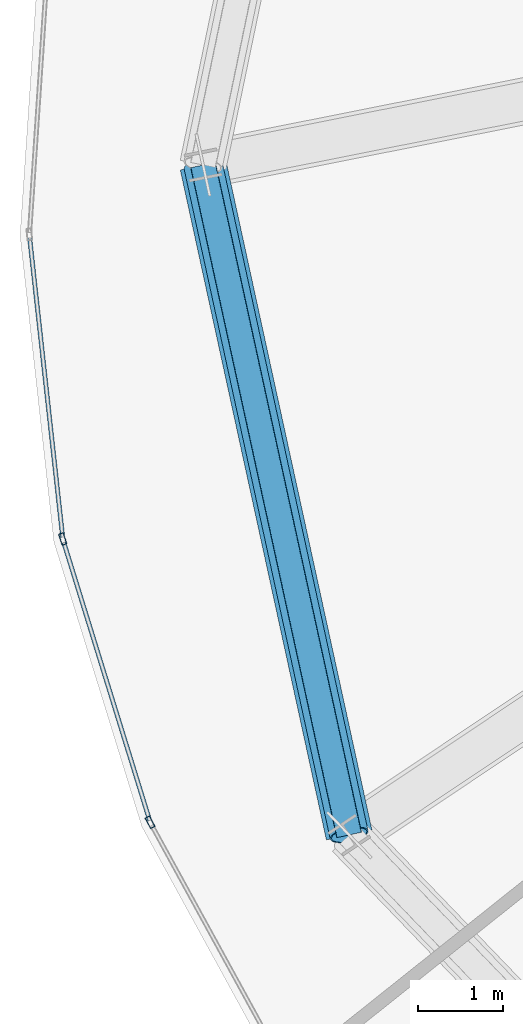
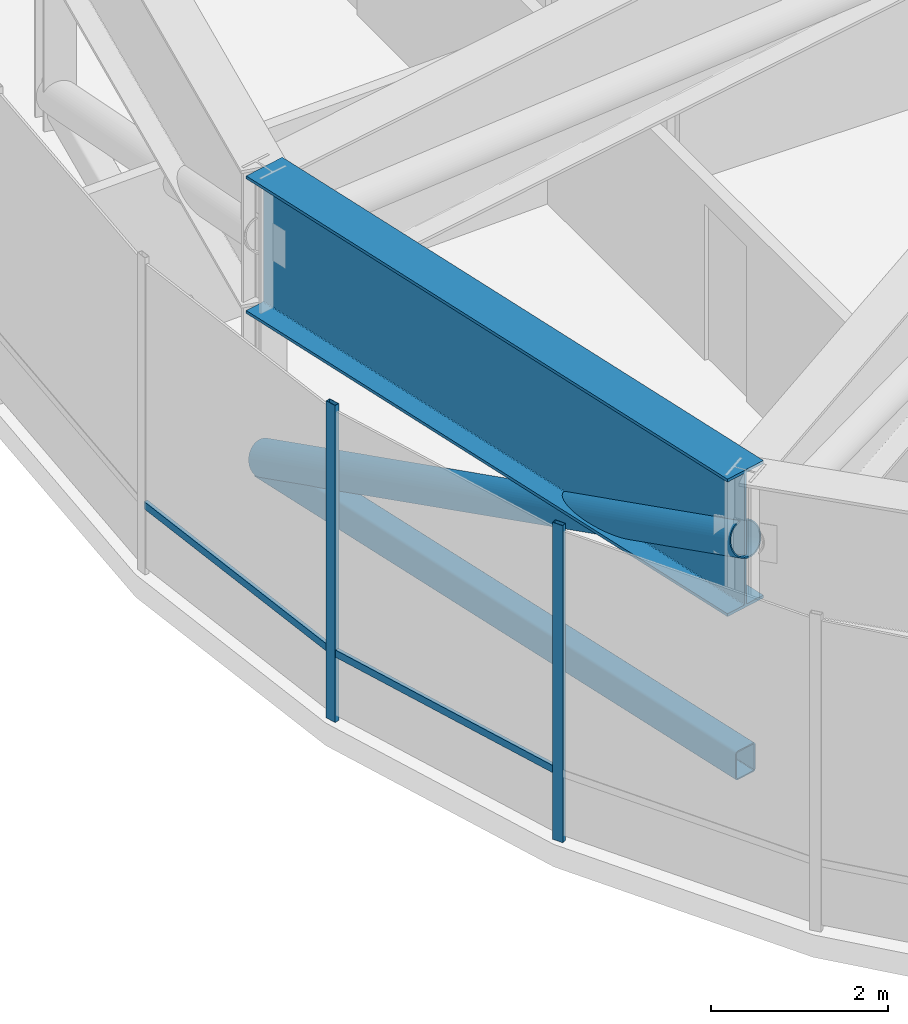
# One storey, part 4 of 26: 6 members, 1 beam, 1 element without a shape of its own.
"""IFC4 building model written with IfcOpenShell, lengths in metres."""

from ifc_helpers import new_model, si_unit, direction, frame, origin, origin_2d, place, context, subcontext, project, spatial, hollow_rectangle, hollow_circle, i_section, extrude, source, transform, mapped, material, layer, layer_set, material_profile, profile_set, type_object, element, aggregate, save


model = new_model("IFC4")

# Units and contexts
model_context = context("Model", 3, precision=1e-05, world=origin(), true_north=direction((0.0, 1.0)))
body_context = subcontext(model_context, "Body", "Model", "MODEL_VIEW")
ifc_project = project(units=[si_unit("LENGTHUNIT", "METRE"), si_unit("AREAUNIT", "SQUARE_METRE"), si_unit("VOLUMEUNIT", "CUBIC_METRE"), si_unit("PLANEANGLEUNIT", "RADIAN"), si_unit("MASSUNIT", "GRAM", prefix="KILO"), si_unit("THERMODYNAMICTEMPERATUREUNIT", "KELVIN")], contexts=[model_context])

# Site, building, storey
site_placement = place(None, origin())
site = spatial("IfcSite", under=ifc_project, at=site_placement, CompositionType="ELEMENT")
building_placement = place(site_placement, origin())
building = spatial("IfcBuilding", under=site, at=building_placement, Name="Kethvar Cultural Tower", CompositionType="ELEMENT")
storey_placement = place(building_placement, frame((0.0, 0.0, 223.60009765625)))
storey = spatial("IfcBuildingStorey", under=building, at=storey_placement, Name="L58", CompositionType="ELEMENT", Elevation=223.60009765625)

# Beam
ifc_material_1 = material(Name="Steel S460M", Category="steel")
ifc_material_profile_1 = material_profile(ifc_material_1, i_section(OverallWidth=0.550048828125, OverallDepth=1.89990234375, WebThickness=0.02490234375, FlangeThickness=0.0400390625, FilletRadius=0.02001953125, at=origin_2d()), Name="Steel S460M — PG1900x550x40x25")
ifc_profile_set_1 = profile_set([ifc_material_profile_1], Name="Steel S460M — PG1900x550x40x25")
beam_type = type_object("IfcBeamType", Name="BM-TR1900", PredefinedType="BEAM", material=ifc_profile_set_1)
shared_shape_1 = source(origin(), body_context, "Body", "SweptSolid", [
    extrude(i_section(OverallWidth=0.550048828125, OverallDepth=1.89990234375, WebThickness=0.02490234375, FlangeThickness=0.0400390625, FilletRadius=0.02001953125, at=origin_2d()), origin(), (0.0, 0.0, 1.0), 8.09375),
])
beam_placement = place(storey_placement, frame((27.492919921875, 23.959716796875, 3.427978515625), z_axis=(0.213077030298, -0.977035403227, 0.0), x_axis=(0.977035403227, 0.213077030298, 0.0)))
element("IfcBeam", 1, at=beam_placement, inside=storey, type_object=beam_type, Name="L58 Ring Belt Girder BG-09", PredefinedType="BEAM", context=body_context, shape_type="MappedRepresentation", body=[
    mapped(shared_shape_1, transform((0.0, 0.0, 0.0), scale=1.0)),
])

# Members
ifc_material_profile_2 = material_profile(ifc_material_1, hollow_rectangle(XDim=0.300048828125, YDim=0.39990234375, WallThickness=0.01611328125, InnerFilletRadius=0.01611328125, OuterFilletRadius=0.031982421875, at=origin_2d()), Name="Steel S460M — RHS400x300x16")
ifc_profile_set_2 = profile_set([ifc_material_profile_2], Name="Steel S460M — RHS400x300x16")
member_type_1 = type_object("IfcMemberType", Name="MB-CHD-400", PredefinedType="CHORD", material=ifc_profile_set_2)
shared_shape_2 = source(origin(), body_context, "Body", "SweptSolid", [
    extrude(hollow_rectangle(XDim=0.300048828125, YDim=0.39990234375, WallThickness=0.01611328125, InnerFilletRadius=0.01611328125, OuterFilletRadius=0.031982421875, at=origin_2d()), origin(), (0.0, 0.0, 1.0), 8.09375),
])
member_1_placement = place(storey_placement, frame((27.492919921875, 23.959716796875, 0.349853515625), z_axis=(0.213077030298, -0.977035403227, 0.0), x_axis=(0.977035403227, 0.213077030298, 0.0)))
element("IfcMember", 2, at=member_1_placement, inside=storey, type_object=member_type_1, Name="L58 Ring Belt Bottom Chord BC-09", PredefinedType="CHORD", context=body_context, shape_type="MappedRepresentation", body=[
    mapped(shared_shape_2, transform((0.0, 0.0, 0.0), scale=1.0)),
])
ifc_material_2 = material(Name="Steel S355J2", Category="steel")
ifc_material_profile_3 = material_profile(ifc_material_2, hollow_circle(Radius=0.228515625, WallThickness=0.01611328125, at=origin_2d()), Name="Steel S355J2 — CHS457x16")
ifc_profile_set_3 = profile_set([ifc_material_profile_3], Name="Steel S355J2 — CHS457x16")
member_type_2 = type_object("IfcMemberType", Name="MB-OUT-457", PredefinedType="BRACE", material=ifc_profile_set_3)
shared_shape_3 = source(origin(), body_context, "Body", "SweptSolid", [
    extrude(hollow_circle(Radius=0.228515625, WallThickness=0.01611328125, at=origin_2d()), origin(), (0.0, 0.0, 1.0), 8.659423828125),
])
member_2_placement = place(storey_placement, frame((27.492919921875, 23.959716796875, 0.349853515625), z_axis=(0.199160725742, -0.913224103554, 0.355466935186), x_axis=(0.977035403227, 0.213077030298, 0.0)))
element("IfcMember", 3, at=member_2_placement, inside=storey, type_object=member_type_2, Name="L58 Ring Belt Diagonal BD-09", PredefinedType="BRACE", context=body_context, shape_type="MappedRepresentation", body=[
    mapped(shared_shape_3, transform((0.0, 0.0, 0.0), scale=1.0)),
])

# Curtain wall, members
ifc_material_3 = material(Name="Aluminium 6063-T6", Category="aluminium")
ifc_layer = layer(ifc_material_3, 0.179931640625, Name="Aluminium 6063-T6", Category="aluminium")
ifc_layer_set = layer_set([ifc_layer], Name="Aluminium 6063-T6 (180 mm)")
curtain_wall_type = type_object("IfcCurtainWallType", Name="CW-SYS-04-Z34", PredefinedType="NOTDEFINED", material=ifc_layer_set)
curtain_wall_placement = place(storey_placement, origin())
curtain_wall = element("IfcCurtainWall", 4, at=curtain_wall_placement, inside=storey, type_object=curtain_wall_type, Name="L58 Curtain Wall Run 03", PredefinedType="NOTDEFINED")
ifc_material_profile_4 = material_profile(ifc_material_3, hollow_rectangle(XDim=0.06005859375, YDim=0.139892578125, WallThickness=0.0048828125, at=origin_2d()), Name="Aluminium 6063-T6 — RHS140x60x5")
ifc_profile_set_4 = profile_set([ifc_material_profile_4], Name="Aluminium 6063-T6 — RHS140x60x5")
member_type_3 = type_object("IfcMemberType", Name="CW-SYS-04-Z34-MUL", PredefinedType="MULLION", material=ifc_profile_set_4)
shared_shape_4 = source(origin(), body_context, "Body", "SweptSolid", [
    extrude(hollow_rectangle(XDim=0.06005859375, YDim=0.139892578125, WallThickness=0.0048828125, at=origin_2d()), origin(), (0.0, 0.0, 1.0), 4.3798828125),
])
member_3_placement = place(storey_placement, frame((25.836181640625, 19.545166015625, 0.0), z_axis=(0.0, 0.0, 1.0), x_axis=(0.955448519277, 0.295157800188, 0.0)))
member_3 = element("IfcMember", 5, at=member_3_placement, type_object=member_type_3, Name="CW-L58-R03 Mullion 4", PredefinedType="MULLION", context=body_context, shape_type="MappedRepresentation", body=[
    mapped(shared_shape_4, transform((0.0, 0.0, 0.0), scale=1.0)),
])
member_4_placement = place(storey_placement, frame((26.86669921875, 16.20166015625, 0.0), z_axis=(0.0, 0.0, 1.0), x_axis=(0.877146163706, 0.480223497443, 0.0)))
member_4 = element("IfcMember", 6, at=member_4_placement, type_object=member_type_3, Name="CW-L58-R03 Mullion 5", PredefinedType="MULLION", context=body_context, shape_type="MappedRepresentation", body=[
    mapped(shared_shape_4, transform((0.0, 0.0, 0.0), scale=1.0)),
])
ifc_material_profile_5 = material_profile(ifc_material_3, hollow_rectangle(XDim=0.050048828125, YDim=0.10009765625, WallThickness=0.00390625, at=origin_2d()), Name="Aluminium 6063-T6 — RHS100x50x4")
ifc_profile_set_5 = profile_set([ifc_material_profile_5], Name="Aluminium 6063-T6 — RHS100x50x4")
member_type_4 = type_object("IfcMemberType", Name="CW-SYS-04-Z34-TRN", PredefinedType="USERDEFINED", material=ifc_profile_set_5)
shared_shape_5 = source(origin(), body_context, "Body", "SweptSolid", [
    extrude(hollow_rectangle(XDim=0.050048828125, YDim=0.10009765625, WallThickness=0.00390625, at=origin_2d()), origin(), (0.0, 0.0, 1.0), 3.55126953125),
])
member_5_placement = place(storey_placement, frame((25.4462890625, 23.097412109375, 0.949951171875), z_axis=(0.109654295796, -0.993969785966, 0.0), x_axis=(0.993969785966, 0.109654295796, 0.0)))
member_5 = element("IfcMember", 7, at=member_5_placement, type_object=member_type_4, Name="CW-L58-R03 Transom 3", ObjectType="TRANSOM", PredefinedType="USERDEFINED", context=body_context, shape_type="MappedRepresentation", body=[
    mapped(shared_shape_5, transform((0.0, 0.0, 0.0), scale=1.0)),
])
shared_shape_6 = source(origin(), body_context, "Body", "SweptSolid", [
    extrude(hollow_rectangle(XDim=0.050048828125, YDim=0.10009765625, WallThickness=0.00390625, at=origin_2d()), origin(), (0.0, 0.0, 1.0), 3.434326171875),
])
member_6_placement = place(storey_placement, frame((25.84912109375, 19.50390625, 0.949951171875), z_axis=(0.295079746967, -0.955472628038, 0.0), x_axis=(0.955472628038, 0.295079746967, 0.0)))
member_6 = element("IfcMember", 8, at=member_6_placement, type_object=member_type_4, Name="CW-L58-R03 Transom 4", ObjectType="TRANSOM", PredefinedType="USERDEFINED", context=body_context, shape_type="MappedRepresentation", body=[
    mapped(shared_shape_6, transform((0.0, 0.0, 0.0), scale=1.0)),
])
aggregate(curtain_wall, [member_3, member_4, member_5, member_6])

save(model, "model.ifc")
